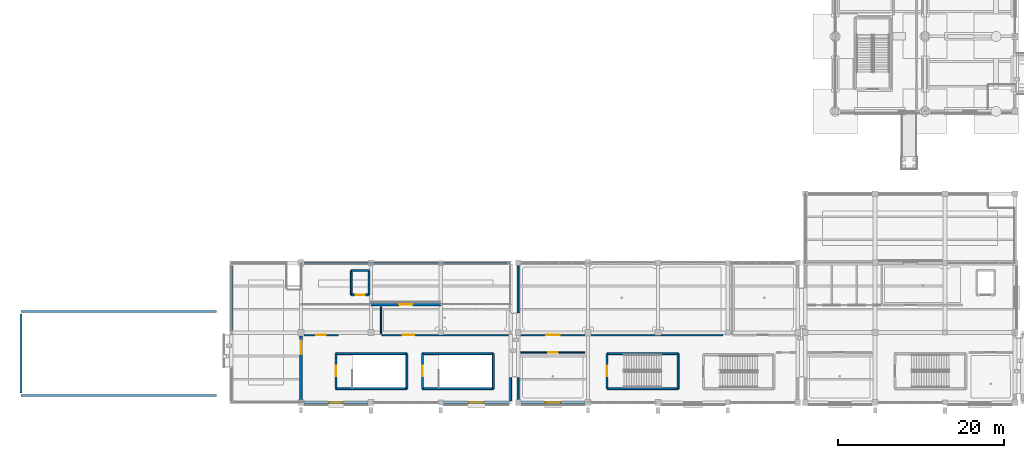
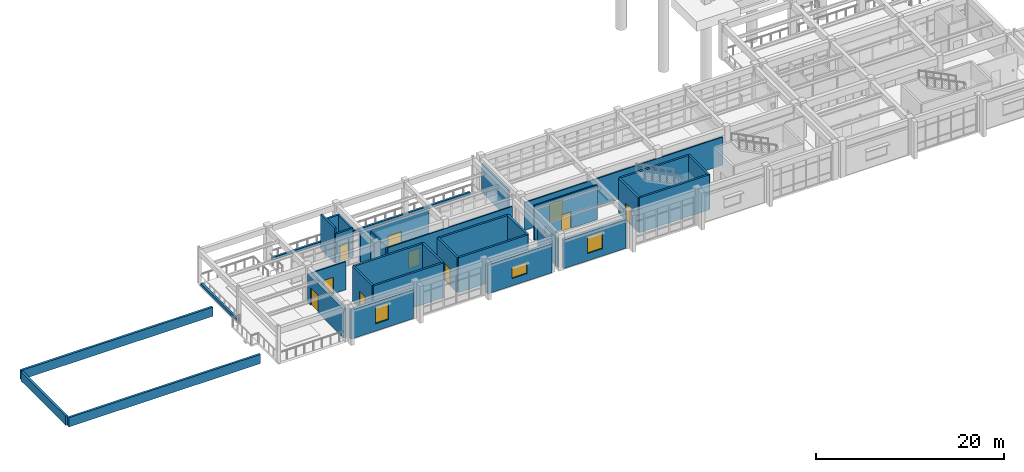
# One storey, part 75 of 98: 34 walls, 10 doors, 3 windows, 13 openings.
"""IFC4 building model written with IfcOpenShell, lengths in metres."""

from ifc_helpers import new_model, si_unit, direction, frame, frame_2d, origin, place, context, subcontext, project, spatial, rectangle, extrude, material, layer, layer_set, type_object, element, fill, save


model = new_model("IFC4")

# Units and contexts
model_context = context("Model", 3, precision=1e-05, world=origin(), true_north=direction((0.0, 1.0)))
body_context = subcontext(model_context, "Body", "Model", "MODEL_VIEW")
ifc_project = project(units=[si_unit("LENGTHUNIT", "METRE"), si_unit("AREAUNIT", "SQUARE_METRE"), si_unit("VOLUMEUNIT", "CUBIC_METRE"), si_unit("PLANEANGLEUNIT", "RADIAN"), si_unit("MASSUNIT", "GRAM", prefix="KILO")], contexts=[model_context])

# Site, building, storey
site_placement = place(None, origin())
site = spatial("IfcSite", under=ifc_project, at=site_placement, CompositionType="ELEMENT")
building_placement = place(site_placement, origin())
building = spatial("IfcBuilding", under=site, at=building_placement, Name="Canglan Escarpment Cableway Terminal", CompositionType="ELEMENT")
storey_placement = place(building_placement, frame((0.0, 0.0, 9.60009765625)))
storey = spatial("IfcBuildingStorey", under=building, at=storey_placement, Name="L02", CompositionType="ELEMENT", Elevation=9.60009765625)

# Walls
ifc_material_1 = material(Name="Concrete C40", Category="concrete")
ifc_layer_1 = layer(ifc_material_1, 0.239990234375, Name="Concrete C40")
ifc_layer_set_1 = layer_set([ifc_layer_1], Name="Concrete C40")
wall_type_1 = type_object("IfcWallType", Name="WL-CORE-SHEAR-240", PredefinedType="SHEAR", material=ifc_layer_set_1)
wall_1_placement = place(storey_placement, frame((55.080078125, 9.679931640625, 0.0), z_axis=(0.0, 0.0, 1.0), x_axis=(1.0, 0.0, 0.0)))
element("IfcWall", 1, at=wall_1_placement, inside=storey, type_object=wall_type_1, Name="Protected stair core wall ST-04 (L02)", PredefinedType="SHEAR", context=body_context, shape_type="SweptSolid", body=[
    extrude(rectangle(XDim=8.5400390625, YDim=0.239990234375, at=frame_2d((4.27001953125, 0.0))), origin(), (0.0, 0.0, 1.0), 4.52001953125),
])
wall_2_placement = place(storey_placement, frame((63.6201171875, 9.679931640625, 0.0), z_axis=(0.0, 0.0, 1.0), x_axis=(0.0, 1.0, 0.0)))
element("IfcWall", 2, at=wall_2_placement, inside=storey, type_object=wall_type_1, Name="Protected stair core wall ST-04 (L02)", PredefinedType="SHEAR", context=body_context, shape_type="SweptSolid", body=[
    extrude(rectangle(XDim=4.190185546875, YDim=0.239990234375, at=frame_2d((2.09521484375, 0.0))), origin(), (0.0, 0.0, 1.0), 4.52001953125),
])
wall_3_placement = place(storey_placement, frame((63.6201171875, 13.8701171875, 0.0), z_axis=(0.0, 0.0, 1.0), x_axis=(-1.0, 0.0, 0.0)))
element("IfcWall", 3, at=wall_3_placement, inside=storey, type_object=wall_type_1, Name="Protected stair core wall ST-04 (L02)", PredefinedType="SHEAR", context=body_context, shape_type="SweptSolid", body=[
    extrude(rectangle(XDim=8.5400390625, YDim=0.239990234375, at=frame_2d((4.27001953125, 0.0))), origin(), (0.0, 0.0, 1.0), 4.52001953125),
])

# Wall, opening, door
wall_4_placement = place(storey_placement, frame((55.080078125, 13.8701171875, 0.0), z_axis=(0.0, 0.0, 1.0), x_axis=(0.0, -1.0, 0.0)))
wall_4 = element("IfcWall", 4, at=wall_4_placement, inside=storey, type_object=wall_type_1, Name="Protected stair core wall ST-04 (L02)", PredefinedType="SHEAR", context=body_context, shape_type="SweptSolid", body=[
    extrude(rectangle(XDim=4.190185546875, YDim=0.239990234375, at=frame_2d((2.09521484375, 0.0))), origin(), (0.0, 0.0, 1.0), 4.52001953125),
])
opening_1_placement = place(wall_4_placement, frame((1.469970703125, 0.0, 0.0)))
opening_1 = element("IfcOpeningElement", 5, at=opening_1_placement, cuts=wall_4, Name="Opening SD-D1", PredefinedType="OPENING", context=body_context, shape_type="SweptSolid", body=[
    extrude(rectangle(XDim=1.25, YDim=2.199951171875, at=frame_2d((0.625, 1.10009765625))), frame((0.0, 0.1298828125, 0.0), z_axis=(0.0, -1.0, 0.0), x_axis=(1.0, 0.0, 0.0)), (0.0, 0.0, 1.0), 0.260009765625),
])
ifc_material_2 = material(Name="Steel fire-resisting stair door", Category="steel")
door_type_1 = type_object("IfcDoorType", Name="DR-STAIR-EI90-1250", OperationType="NOTDEFINED", PredefinedType="DOOR", material=ifc_material_2)
door_1_placement = place(opening_1_placement, origin())
door_1 = element("IfcDoor", 6, at=door_1_placement, inside=storey, type_object=door_type_1, Name="Protected exit stair fire door ST-04 (L02)", OperationType="SINGLE_SWING_RIGHT", OverallHeight=2.199951171875, OverallWidth=1.25, PredefinedType="DOOR", context=body_context, shape_type="SweptSolid", body=[
    extrude(rectangle(XDim=1.25, YDim=2.199951171875, at=frame_2d((0.625, 1.10009765625))), frame((0.0, 0.02490234375, 0.0), z_axis=(0.0, -1.0, 0.0), x_axis=(1.0, 0.0, 0.0)), (0.0, 0.0, 1.0), 0.050048828125),
])
fill(opening_1, door_1)

# Walls
wall_5_placement = place(storey_placement, frame((65.47998046875, 9.679931640625, 0.0), z_axis=(0.0, 0.0, 1.0), x_axis=(1.0, 0.0, 0.0)))
element("IfcWall", 7, at=wall_5_placement, inside=storey, type_object=wall_type_1, Name="Protected stair core wall ST-05 (L02)", PredefinedType="SHEAR", context=body_context, shape_type="SweptSolid", body=[
    extrude(rectangle(XDim=8.5400390625, YDim=0.239990234375, at=frame_2d((4.27001953125, 0.0))), origin(), (0.0, 0.0, 1.0), 4.52001953125),
])
wall_6_placement = place(storey_placement, frame((74.02001953125, 9.679931640625, 0.0), z_axis=(0.0, 0.0, 1.0), x_axis=(0.0, 1.0, 0.0)))
element("IfcWall", 8, at=wall_6_placement, inside=storey, type_object=wall_type_1, Name="Protected stair core wall ST-05 (L02)", PredefinedType="SHEAR", context=body_context, shape_type="SweptSolid", body=[
    extrude(rectangle(XDim=4.190185546875, YDim=0.239990234375, at=frame_2d((2.09521484375, 0.0))), origin(), (0.0, 0.0, 1.0), 4.52001953125),
])
wall_7_placement = place(storey_placement, frame((74.02001953125, 13.8701171875, 0.0), z_axis=(0.0, 0.0, 1.0), x_axis=(-1.0, 0.0, 0.0)))
element("IfcWall", 9, at=wall_7_placement, inside=storey, type_object=wall_type_1, Name="Protected stair core wall ST-05 (L02)", PredefinedType="SHEAR", context=body_context, shape_type="SweptSolid", body=[
    extrude(rectangle(XDim=8.5400390625, YDim=0.239990234375, at=frame_2d((4.27001953125, 0.0))), origin(), (0.0, 0.0, 1.0), 4.52001953125),
])

# Wall, opening, door
wall_8_placement = place(storey_placement, frame((65.47998046875, 13.8701171875, 0.0), z_axis=(0.0, 0.0, 1.0), x_axis=(0.0, -1.0, 0.0)))
wall_8 = element("IfcWall", 10, at=wall_8_placement, inside=storey, type_object=wall_type_1, Name="Protected stair core wall ST-05 (L02)", PredefinedType="SHEAR", context=body_context, shape_type="SweptSolid", body=[
    extrude(rectangle(XDim=4.190185546875, YDim=0.239990234375, at=frame_2d((2.09521484375, 0.0))), origin(), (0.0, 0.0, 1.0), 4.52001953125),
])
opening_2_placement = place(wall_8_placement, frame((1.469970703125, 0.0, 0.0)))
opening_2 = element("IfcOpeningElement", 11, at=opening_2_placement, cuts=wall_8, Name="Opening SD-D1", PredefinedType="OPENING", context=body_context, shape_type="SweptSolid", body=[
    extrude(rectangle(XDim=1.25, YDim=2.199951171875, at=frame_2d((0.625, 1.10009765625))), frame((0.0, 0.1298828125, 0.0), z_axis=(0.0, -1.0, 0.0), x_axis=(1.0, 0.0, 0.0)), (0.0, 0.0, 1.0), 0.260009765625),
])
door_2_placement = place(opening_2_placement, origin())
door_2 = element("IfcDoor", 12, at=door_2_placement, inside=storey, type_object=door_type_1, Name="Protected exit stair fire door ST-05 (L02)", OperationType="SINGLE_SWING_LEFT", OverallHeight=2.199951171875, OverallWidth=1.25, PredefinedType="DOOR", context=body_context, shape_type="SweptSolid", body=[
    extrude(rectangle(XDim=1.25, YDim=2.199951171875, at=frame_2d((0.625, 1.10009765625))), frame((0.0, 0.02490234375, 0.0), z_axis=(0.0, -1.0, 0.0), x_axis=(1.0, 0.0, 0.0)), (0.0, 0.0, 1.0), 0.050048828125),
])
fill(opening_2, door_2)

# Walls
wall_9_placement = place(storey_placement, frame((87.679931640625, 9.679931640625, 0.0), z_axis=(0.0, 0.0, 1.0), x_axis=(1.0, 0.0, 0.0)))
element("IfcWall", 13, at=wall_9_placement, inside=storey, type_object=wall_type_1, Name="Protected stair core wall ST-06 (L02)", PredefinedType="SHEAR", context=body_context, shape_type="SweptSolid", body=[
    extrude(rectangle(XDim=8.5400390625, YDim=0.239990234375, at=frame_2d((4.27001953125, 0.0))), origin(), (0.0, 0.0, 1.0), 4.52001953125),
])
wall_10_placement = place(storey_placement, frame((96.219970703125, 9.679931640625, 0.0), z_axis=(0.0, 0.0, 1.0), x_axis=(0.0, 1.0, 0.0)))
element("IfcWall", 14, at=wall_10_placement, inside=storey, type_object=wall_type_1, Name="Protected stair core wall ST-06 (L02)", PredefinedType="SHEAR", context=body_context, shape_type="SweptSolid", body=[
    extrude(rectangle(XDim=4.190185546875, YDim=0.239990234375, at=frame_2d((2.09521484375, 0.0))), origin(), (0.0, 0.0, 1.0), 4.52001953125),
])
wall_11_placement = place(storey_placement, frame((96.219970703125, 13.8701171875, 0.0), z_axis=(0.0, 0.0, 1.0), x_axis=(-1.0, 0.0, 0.0)))
element("IfcWall", 15, at=wall_11_placement, inside=storey, type_object=wall_type_1, Name="Protected stair core wall ST-06 (L02)", PredefinedType="SHEAR", context=body_context, shape_type="SweptSolid", body=[
    extrude(rectangle(XDim=8.5400390625, YDim=0.239990234375, at=frame_2d((4.27001953125, 0.0))), origin(), (0.0, 0.0, 1.0), 4.52001953125),
])

# Wall, opening, door
wall_12_placement = place(storey_placement, frame((87.679931640625, 13.8701171875, 0.0), z_axis=(0.0, 0.0, 1.0), x_axis=(0.0, -1.0, 0.0)))
wall_12 = element("IfcWall", 16, at=wall_12_placement, inside=storey, type_object=wall_type_1, Name="Protected stair core wall ST-06 (L02)", PredefinedType="SHEAR", context=body_context, shape_type="SweptSolid", body=[
    extrude(rectangle(XDim=4.190185546875, YDim=0.239990234375, at=frame_2d((2.09521484375, 0.0))), origin(), (0.0, 0.0, 1.0), 4.52001953125),
])
opening_3_placement = place(wall_12_placement, frame((1.469970703125, 0.0, 0.0)))
opening_3 = element("IfcOpeningElement", 17, at=opening_3_placement, cuts=wall_12, Name="Opening SD-D1", PredefinedType="OPENING", context=body_context, shape_type="SweptSolid", body=[
    extrude(rectangle(XDim=1.25, YDim=2.199951171875, at=frame_2d((0.625, 1.10009765625))), frame((0.0, 0.1298828125, 0.0), z_axis=(0.0, -1.0, 0.0), x_axis=(1.0, 0.0, 0.0)), (0.0, 0.0, 1.0), 0.260009765625),
])
door_3_placement = place(opening_3_placement, origin())
door_3 = element("IfcDoor", 18, at=door_3_placement, inside=storey, type_object=door_type_1, Name="Protected exit stair fire door ST-06 (L02)", OperationType="SINGLE_SWING_LEFT", OverallHeight=2.199951171875, OverallWidth=1.25, PredefinedType="DOOR", context=body_context, shape_type="SweptSolid", body=[
    extrude(rectangle(XDim=1.25, YDim=2.199951171875, at=frame_2d((0.625, 1.10009765625))), frame((0.0, 0.02490234375, 0.0), z_axis=(0.0, -1.0, 0.0), x_axis=(1.0, 0.0, 0.0)), (0.0, 0.0, 1.0), 0.050048828125),
])
fill(opening_3, door_3)

# Walls
ifc_material_3 = material(Name="Insulated stone-faced spandrel wall", Category="masonry")
ifc_layer_2 = layer(ifc_material_3, 0.22998046875, Name="Insulated stone-faced spandrel wall")
ifc_layer_set_2 = layer_set([ifc_layer_2], Name="Insulated stone-faced spandrel wall")
wall_type_2 = type_object("IfcWallType", Name="WL-EXT-LINK-230", PredefinedType="STANDARD", material=ifc_layer_set_2)
wall_13_placement = place(storey_placement, frame((76.10009765625, 8.175048828125, 0.0), z_axis=(0.0, 0.0, 1.0), x_axis=(0.0, 1.0, 0.0)))
element("IfcWall", 19, at=wall_13_placement, inside=storey, type_object=wall_type_2, Name="Classical stone-faced exterior wall EW-FB2-L02-E-01-FL1", PredefinedType="STANDARD", context=body_context, shape_type="SweptSolid", body=[
    extrude(rectangle(XDim=2.824951171875, YDim=0.22998046875, at=frame_2d((1.41259765625, 0.0))), origin(), (0.0, 0.0, 1.0), 3.744873046875),
])
wall_14_placement = place(storey_placement, frame((77.0, 8.35009765625, 0.0), z_axis=(0.0, 0.0, 1.0), x_axis=(0.0, 1.0, 0.0)))
element("IfcWall", 20, at=wall_14_placement, inside=storey, type_object=wall_type_2, Name="Classical stone-faced exterior wall EW-FB3-L02-W-01-FL1", PredefinedType="STANDARD", context=body_context, shape_type="SweptSolid", body=[
    extrude(rectangle(XDim=2.64990234375, YDim=0.22998046875, at=frame_2d((1.324951171875, 0.0))), origin(), (0.0, 0.0, 1.0), 3.71484375),
])
wall_15_placement = place(storey_placement, frame((77.0, 18.800048828125, 0.0), z_axis=(0.0, 0.0, 1.0), x_axis=(0.0, 1.0, 0.0)))
element("IfcWall", 21, at=wall_15_placement, inside=storey, type_object=wall_type_2, Name="Classical stone-faced exterior wall EW-FB3-L02-W-02-FL2", PredefinedType="STANDARD", context=body_context, shape_type="SweptSolid", body=[
    extrude(rectangle(XDim=5.64990234375, YDim=0.22998046875, at=frame_2d((2.824951171875, 0.0))), origin(), (0.0, 0.0, 1.0), 3.71484375),
])

# Wall, opening, window
ifc_material_4 = material(Name="Rusticated limestone masonry on Concrete C40", Category="masonry")
ifc_layer_3 = layer(ifc_material_4, 0.360107421875, Name="Rusticated limestone masonry on Concrete C40")
ifc_layer_set_3 = layer_set([ifc_layer_3], Name="Rusticated limestone masonry on Concrete C40")
wall_type_3 = type_object("IfcWallType", Name="WL-EXT-RUST-360", PredefinedType="STANDARD", material=ifc_layer_set_3)
wall_16_placement = place(storey_placement, frame((51.27490234375, 8.0, 0.0), z_axis=(0.0, 0.0, 1.0), x_axis=(1.0, 0.0, 0.0)))
wall_16 = element("IfcWall", 22, at=wall_16_placement, inside=storey, type_object=wall_type_3, Name="Classical stone-faced exterior wall EW-FB2-L02-S-01", PredefinedType="STANDARD", context=body_context, shape_type="SweptSolid", body=[
    extrude(rectangle(XDim=7.675048828125, YDim=0.360107421875, at=frame_2d((3.83740234375, 0.0))), origin(), (0.0, 0.0, 1.0), 3.744873046875),
])
opening_4_placement = place(wall_16_placement, frame((3.03759765625, 0.0, 0.949951171875)))
opening_4 = element("IfcOpeningElement", 23, at=opening_4_placement, cuts=wall_16, Name="Opening W-12", PredefinedType="OPENING", context=body_context, shape_type="SweptSolid", body=[
    extrude(rectangle(XDim=1.60009765625, YDim=2.14990234375, at=frame_2d((0.800048828125, 1.074951171875))), frame((0.0, 0.18994140625, 0.0), z_axis=(0.0, -1.0, 0.0), x_axis=(1.0, 0.0, 0.0)), (0.0, 0.0, 1.0), 0.380126953125),
])
ifc_material_5 = material(Name="Anodized bronze aluminium and Low-E double glazing", Category="aluminium")
window_type_1 = type_object("IfcWindowType", Name="WIN-EXT-12", PartitioningType="SINGLE_PANEL", PredefinedType="WINDOW", material=ifc_material_5)
window_1_placement = place(opening_4_placement, origin())
window_1 = element("IfcWindow", 24, at=window_1_placement, inside=storey, type_object=window_type_1, Name="Classical module window W-12", OverallHeight=2.14990234375, OverallWidth=1.60009765625, PartitioningType="SINGLE_PANEL", PredefinedType="WINDOW", context=body_context, shape_type="SweptSolid", body=[
    extrude(rectangle(XDim=1.60009765625, YDim=2.14990234375, at=frame_2d((0.800048828125, 1.074951171875))), frame((0.0, 0.030029296875, 0.0), z_axis=(0.0, -1.0, 0.0), x_axis=(1.0, 0.0, 0.0)), (0.0, 0.0, 1.0), 0.06005859375),
])
fill(opening_4, window_1)

wall_17_placement = place(storey_placement, frame((68.0, 8.0, 0.0), z_axis=(0.0, 0.0, 1.0), x_axis=(1.0, 0.0, 0.0)))
wall_17 = element("IfcWall", 25, at=wall_17_placement, inside=storey, type_object=wall_type_3, Name="Classical stone-faced exterior wall EW-FB2-L02-S-03", PredefinedType="STANDARD", context=body_context, shape_type="SweptSolid", body=[
    extrude(rectangle(XDim=7.925048828125, YDim=0.360107421875, at=frame_2d((3.96240234375, 0.0))), origin(), (0.0, 0.0, 1.0), 3.744873046875),
])
opening_5_placement = place(wall_17_placement, frame((3.03759765625, 0.0, 0.949951171875)))
opening_5 = element("IfcOpeningElement", 26, at=opening_5_placement, cuts=wall_17, Name="Opening W-13", PredefinedType="OPENING", context=body_context, shape_type="SweptSolid", body=[
    extrude(rectangle(XDim=1.85009765625, YDim=1.449951171875, at=frame_2d((0.925048828125, 0.72509765625))), frame((0.0, 0.18994140625, 0.0), z_axis=(0.0, -1.0, 0.0), x_axis=(1.0, 0.0, 0.0)), (0.0, 0.0, 1.0), 0.380126953125),
])
window_type_2 = type_object("IfcWindowType", Name="WIN-EXT-13", PartitioningType="DOUBLE_PANEL_VERTICAL", PredefinedType="WINDOW", material=ifc_material_5)
window_2_placement = place(opening_5_placement, origin())
window_2 = element("IfcWindow", 27, at=window_2_placement, inside=storey, type_object=window_type_2, Name="Classical module window W-13", OverallHeight=1.449951171875, OverallWidth=1.85009765625, PartitioningType="SINGLE_PANEL", PredefinedType="WINDOW", context=body_context, shape_type="SweptSolid", body=[
    extrude(rectangle(XDim=1.85009765625, YDim=1.449951171875, at=frame_2d((0.925048828125, 0.72509765625))), frame((0.0, 0.030029296875, 0.0), z_axis=(0.0, -1.0, 0.0), x_axis=(1.0, 0.0, 0.0)), (0.0, 0.0, 1.0), 0.06005859375),
])
fill(opening_5, window_2)

# Wall, opening, door
wall_18_placement = place(storey_placement, frame((67.699951171875, 19.800048828125, 0.0), z_axis=(0.0, 0.0, 1.0), x_axis=(-1.0, 0.0, 0.0)))
wall_18 = element("IfcWall", 28, at=wall_18_placement, inside=storey, type_object=wall_type_3, Name="Classical stone-faced exterior wall EW-FB2-L02-N-02", PredefinedType="STANDARD", context=body_context, shape_type="SweptSolid", body=[
    extrude(rectangle(XDim=8.39990234375, YDim=0.360107421875, at=frame_2d((4.199951171875, 0.0))), origin(), (0.0, 0.0, 1.0), 3.7548828125),
])
opening_6_placement = place(wall_18_placement, frame((3.375, 0.0, 0.0)))
opening_6 = element("IfcOpeningElement", 29, at=opening_6_placement, cuts=wall_18, Name="Opening ED-03", PredefinedType="OPENING", context=body_context, shape_type="SweptSolid", body=[
    extrude(rectangle(XDim=1.64990234375, YDim=2.25, at=frame_2d((0.824951171875, 1.125))), frame((0.0, 0.18994140625, 0.0), z_axis=(0.0, -1.0, 0.0), x_axis=(1.0, 0.0, 0.0)), (0.0, 0.0, 1.0), 0.380126953125),
])
ifc_material_6 = material(Name="Anodized bronze aluminium and tempered safety glass", Category="aluminium")
door_type_2 = type_object("IfcDoorType", Name="DR-EXT-TERR-1650", OperationType="NOTDEFINED", PredefinedType="DOOR", material=ifc_material_6)
door_4_placement = place(opening_6_placement, origin())
door_4 = element("IfcDoor", 30, at=door_4_placement, inside=storey, type_object=door_type_2, Name="Terrace access glazed door ED-03", OperationType="DOUBLE_DOOR_SINGLE_SWING", OverallHeight=2.25, OverallWidth=1.64990234375, PredefinedType="DOOR", context=body_context, shape_type="SweptSolid", body=[
    extrude(rectangle(XDim=1.64990234375, YDim=2.25, at=frame_2d((0.824951171875, 1.125))), frame((0.0, 0.02490234375, 0.0), z_axis=(0.0, -1.0, 0.0), x_axis=(1.0, 0.0, 0.0)), (0.0, 0.0, 1.0), 0.050048828125),
])
fill(opening_6, door_4)

wall_19_placement = place(storey_placement, frame((50.89990234375, 16.02490234375, 0.0), z_axis=(0.0, 0.0, 1.0), x_axis=(0.0, -1.0, 0.0)))
wall_19 = element("IfcWall", 31, at=wall_19_placement, inside=storey, type_object=wall_type_3, Name="Classical stone-faced exterior wall EW-FB2-L02-W-01", PredefinedType="STANDARD", context=body_context, shape_type="SweptSolid", body=[
    extrude(rectangle(XDim=7.64990234375, YDim=0.360107421875, at=frame_2d((3.824951171875, 0.0))), origin(), (0.0, 0.0, 1.0), 3.744873046875),
])
opening_7_placement = place(wall_19_placement, frame((0.60009765625, 0.0, 0.0)))
opening_7 = element("IfcOpeningElement", 32, at=opening_7_placement, cuts=wall_19, Name="Opening ED-03", PredefinedType="OPENING", context=body_context, shape_type="SweptSolid", body=[
    extrude(rectangle(XDim=1.64990234375, YDim=2.25, at=frame_2d((0.824951171875, 1.125))), frame((0.0, 0.18994140625, 0.0), z_axis=(0.0, -1.0, 0.0), x_axis=(1.0, 0.0, 0.0)), (0.0, 0.0, 1.0), 0.380126953125),
])
door_5_placement = place(opening_7_placement, origin())
door_5 = element("IfcDoor", 33, at=door_5_placement, inside=storey, type_object=door_type_2, Name="Terrace access glazed door ED-03", OperationType="DOUBLE_DOOR_SINGLE_SWING", OverallHeight=2.25, OverallWidth=1.64990234375, PredefinedType="DOOR", context=body_context, shape_type="SweptSolid", body=[
    extrude(rectangle(XDim=1.64990234375, YDim=2.25, at=frame_2d((0.824951171875, 1.125))), frame((0.0, 0.02490234375, 0.0), z_axis=(0.0, -1.0, 0.0), x_axis=(1.0, 0.0, 0.0)), (0.0, 0.0, 1.0), 0.050048828125),
])
fill(opening_7, door_5)

# Wall, opening, window
wall_20_placement = place(storey_placement, frame((77.35009765625, 8.0, 0.0), z_axis=(0.0, 0.0, 1.0), x_axis=(1.0, 0.0, 0.0)))
wall_20 = element("IfcWall", 34, at=wall_20_placement, inside=storey, type_object=wall_type_3, Name="Classical stone-faced exterior wall EW-FB3-L02-S-01", PredefinedType="STANDARD", context=body_context, shape_type="SweptSolid", body=[
    extrude(rectangle(XDim=7.6748046875, YDim=0.360107421875, at=frame_2d((3.83740234375, 0.0))), origin(), (0.0, 0.0, 1.0), 3.71484375),
])
opening_8_placement = place(wall_20_placement, frame((2.91259765625, 0.0, 0.949951171875)))
opening_8 = element("IfcOpeningElement", 35, at=opening_8_placement, cuts=wall_20, Name="Opening W-16", PredefinedType="OPENING", context=body_context, shape_type="SweptSolid", body=[
    extrude(rectangle(XDim=1.85009765625, YDim=2.14990234375, at=frame_2d((0.925048828125, 1.074951171875))), frame((0.0, 0.18994140625, 0.0), z_axis=(0.0, -1.0, 0.0), x_axis=(1.0, 0.0, 0.0)), (0.0, 0.0, 1.0), 0.380126953125),
])
window_type_3 = type_object("IfcWindowType", Name="WIN-EXT-16", PartitioningType="DOUBLE_PANEL_VERTICAL", PredefinedType="WINDOW", material=ifc_material_5)
window_3_placement = place(opening_8_placement, origin())
window_3 = element("IfcWindow", 36, at=window_3_placement, inside=storey, type_object=window_type_3, Name="Classical module window W-16", OverallHeight=2.14990234375, OverallWidth=1.85009765625, PartitioningType="SINGLE_PANEL", PredefinedType="WINDOW", context=body_context, shape_type="SweptSolid", body=[
    extrude(rectangle(XDim=1.85009765625, YDim=2.14990234375, at=frame_2d((0.925048828125, 1.074951171875))), frame((0.0, 0.030029296875, 0.0), z_axis=(0.0, -1.0, 0.0), x_axis=(1.0, 0.0, 0.0)), (0.0, 0.0, 1.0), 0.06005859375),
])
fill(opening_8, window_3)

# Wall, opening, door
ifc_material_7 = material(Name="Acoustic double-stud gypsum partition", Category="gypsum")
ifc_layer_4 = layer(ifc_material_7, 0.14990234375, Name="Acoustic double-stud gypsum partition")
ifc_layer_set_4 = layer_set([ifc_layer_4], Name="Acoustic double-stud gypsum partition")
wall_type_4 = type_object("IfcWallType", Name="WL-INT-PART-150", PredefinedType="PARTITIONING", material=ifc_layer_set_4)
wall_21_placement = place(storey_placement, frame((51.199951171875, 16.10009765625, 0.0), z_axis=(0.0, 0.0, 1.0), x_axis=(1.0, 0.0, 0.0)))
wall_21 = element("IfcWall", 37, at=wall_21_placement, inside=storey, type_object=wall_type_4, Name="Interior partition wall IW-L02-04-MAIN", PredefinedType="PARTITIONING", context=body_context, shape_type="SweptSolid", body=[
    extrude(rectangle(XDim=4.199951171875, YDim=0.14990234375, at=frame_2d((2.10009765625, 0.0))), origin(), (0.0, 0.0, 1.0), 3.64501953125),
])
opening_9_placement = place(wall_21_placement, frame((1.52490234375, 0.0, 0.0)))
opening_9 = element("IfcOpeningElement", 38, at=opening_9_placement, cuts=wall_21, Name="Opening ID-07", PredefinedType="OPENING", context=body_context, shape_type="SweptSolid", body=[
    extrude(rectangle(XDim=1.14990234375, YDim=2.14990234375, at=frame_2d((0.574951171875, 1.074951171875))), frame((0.0, 0.0849609375, 0.0), z_axis=(0.0, -1.0, 0.0), x_axis=(1.0, 0.0, 0.0)), (0.0, 0.0, 1.0), 0.169921875),
])
ifc_material_8 = material(Name="Stained oak and safety glass door", Category="glass")
door_type_3 = type_object("IfcDoorType", Name="DR-INT-ID-07", OperationType="NOTDEFINED", PredefinedType="DOOR", material=ifc_material_8)
door_6_placement = place(opening_9_placement, origin())
door_6 = element("IfcDoor", 39, at=door_6_placement, inside=storey, type_object=door_type_3, Name="Garden Terrace Reading Lounge door ID-07", OperationType="SINGLE_SWING_LEFT", OverallHeight=2.14990234375, OverallWidth=1.14990234375, PredefinedType="DOOR", context=body_context, shape_type="SweptSolid", body=[
    extrude(rectangle(XDim=1.14990234375, YDim=2.14990234375, at=frame_2d((0.574951171875, 1.074951171875))), frame((0.0, 0.02490234375, 0.0), z_axis=(0.0, -1.0, 0.0), x_axis=(1.0, 0.0, 0.0)), (0.0, 0.0, 1.0), 0.050048828125),
])
fill(opening_9, door_6)

wall_22_placement = place(storey_placement, frame((60.60009765625, 16.10009765625, 0.0), z_axis=(0.0, 0.0, 1.0), x_axis=(1.0, 0.0, 0.0)))
wall_22 = element("IfcWall", 40, at=wall_22_placement, inside=storey, type_object=wall_type_4, Name="Interior partition wall IW-L02-05-MAIN", PredefinedType="PARTITIONING", context=body_context, shape_type="SweptSolid", body=[
    extrude(rectangle(XDim=15.199951171875, YDim=0.14990234375, at=frame_2d((7.60009765625, 0.0))), origin(), (0.0, 0.0, 1.0), 3.64501953125),
])
opening_10_placement = place(wall_22_placement, frame((2.5, 0.0, 0.0)))
opening_10 = element("IfcOpeningElement", 41, at=opening_10_placement, cuts=wall_22, Name="Opening ID-16", PredefinedType="OPENING", context=body_context, shape_type="SweptSolid", body=[
    extrude(rectangle(XDim=1.39990234375, YDim=2.199951171875, at=frame_2d((0.699951171875, 1.10009765625))), frame((0.0, 0.0849609375, 0.0), z_axis=(0.0, -1.0, 0.0), x_axis=(1.0, 0.0, 0.0)), (0.0, 0.0, 1.0), 0.169921875),
])
door_type_4 = type_object("IfcDoorType", Name="DR-INT-ID-16", OperationType="NOTDEFINED", PredefinedType="DOOR", material=ifc_material_8)
door_7_placement = place(opening_10_placement, origin())
door_7 = element("IfcDoor", 42, at=door_7_placement, inside=storey, type_object=door_type_4, Name="Passenger Waiting Lounge door ID-16", OperationType="SINGLE_SWING_RIGHT", OverallHeight=2.199951171875, OverallWidth=1.39990234375, PredefinedType="DOOR", context=body_context, shape_type="SweptSolid", body=[
    extrude(rectangle(XDim=1.39990234375, YDim=2.199951171875, at=frame_2d((0.699951171875, 1.10009765625))), frame((0.0, 0.02490234375, 0.0), z_axis=(0.0, -1.0, 0.0), x_axis=(1.0, 0.0, 0.0)), (0.0, 0.0, 1.0), 0.050048828125),
])
fill(opening_10, door_7)

# Wall
wall_23_placement = place(storey_placement, frame((60.5, 16.25, 0.0), z_axis=(0.0, 0.0, 1.0), x_axis=(0.0, 1.0, 0.0)))
element("IfcWall", 43, at=wall_23_placement, inside=storey, type_object=wall_type_4, Name="Interior partition wall IW-L02-05-SIDE", PredefinedType="PARTITIONING", context=body_context, shape_type="SweptSolid", body=[
    extrude(rectangle(XDim=3.25, YDim=0.14990234375, at=frame_2d((1.625, 0.0))), origin(), (0.0, 0.0, 1.0), 3.64501953125),
])

# Wall, opening, door
wall_24_placement = place(storey_placement, frame((77.300048828125, 16.10009765625, 0.0), z_axis=(0.0, 0.0, 1.0), x_axis=(1.0, 0.0, 0.0)))
wall_24 = element("IfcWall", 44, at=wall_24_placement, inside=storey, type_object=wall_type_4, Name="Interior partition wall IW-L02-06-MAIN", PredefinedType="PARTITIONING", context=body_context, shape_type="SweptSolid", body=[
    extrude(rectangle(XDim=24.300048828125, YDim=0.14990234375, at=frame_2d((12.14990234375, 0.0))), origin(), (0.0, 0.0, 1.0), 3.614990234375),
])
opening_11_placement = place(wall_24_placement, frame((3.074951171875, 0.0, 0.0)))
opening_11 = element("IfcOpeningElement", 45, at=opening_11_placement, cuts=wall_24, Name="Opening ID-26", PredefinedType="OPENING", context=body_context, shape_type="SweptSolid", body=[
    extrude(rectangle(XDim=1.64990234375, YDim=2.300048828125, at=frame_2d((0.824951171875, 1.14990234375))), frame((0.0, 0.0849609375, 0.0), z_axis=(0.0, -1.0, 0.0), x_axis=(1.0, 0.0, 0.0)), (0.0, 0.0, 1.0), 0.169921875),
])
door_type_5 = type_object("IfcDoorType", Name="DR-INT-ID-26", OperationType="NOTDEFINED", PredefinedType="DOOR", material=ifc_material_8)
door_8_placement = place(opening_11_placement, origin())
door_8 = element("IfcDoor", 46, at=door_8_placement, inside=storey, type_object=door_type_5, Name="Mountain Ecology Lecture Hall door ID-26", OperationType="DOUBLE_DOOR_SINGLE_SWING", OverallHeight=2.300048828125, OverallWidth=1.64990234375, PredefinedType="DOOR", context=body_context, shape_type="SweptSolid", body=[
    extrude(rectangle(XDim=1.64990234375, YDim=2.300048828125, at=frame_2d((0.824951171875, 1.14990234375))), frame((0.0, 0.02490234375, 0.0), z_axis=(0.0, -1.0, 0.0), x_axis=(1.0, 0.0, 0.0)), (0.0, 0.0, 1.0), 0.050048828125),
])
fill(opening_11, door_8)

wall_25_placement = place(storey_placement, frame((77.300048828125, 14.0, 0.0), z_axis=(0.0, 0.0, 1.0), x_axis=(1.0, 0.0, 0.0)))
wall_25 = element("IfcWall", 47, at=wall_25_placement, inside=storey, type_object=wall_type_4, Name="Interior partition wall IW-L02-08-MAIN", PredefinedType="PARTITIONING", context=body_context, shape_type="SweptSolid", body=[
    extrude(rectangle(XDim=7.699951171875, YDim=0.14990234375, at=frame_2d((3.85009765625, 0.0))), origin(), (0.0, 0.0, 1.0), 4.5048828125),
])
opening_12_placement = place(wall_25_placement, frame((3.324951171875, 0.0, 0.0)))
opening_12 = element("IfcOpeningElement", 48, at=opening_12_placement, cuts=wall_25, Name="Opening ID-07", PredefinedType="OPENING", context=body_context, shape_type="SweptSolid", body=[
    extrude(rectangle(XDim=1.14990234375, YDim=2.14990234375, at=frame_2d((0.574951171875, 1.074951171875))), frame((0.0, 0.0849609375, 0.0), z_axis=(0.0, -1.0, 0.0), x_axis=(1.0, 0.0, 0.0)), (0.0, 0.0, 1.0), 0.169921875),
])
door_9_placement = place(opening_12_placement, origin())
door_9 = element("IfcDoor", 49, at=door_9_placement, inside=storey, type_object=door_type_3, Name="Botanical Herbarium Alcove door ID-07", OperationType="SINGLE_SWING_RIGHT", OverallHeight=2.14990234375, OverallWidth=1.14990234375, PredefinedType="DOOR", context=body_context, shape_type="SweptSolid", body=[
    extrude(rectangle(XDim=1.14990234375, YDim=2.14990234375, at=frame_2d((0.574951171875, 1.074951171875))), frame((0.0, 0.02490234375, 0.0), z_axis=(0.0, -1.0, 0.0), x_axis=(1.0, 0.0, 0.0)), (0.0, 0.0, 1.0), 0.050048828125),
])
fill(opening_12, door_9)

# Walls
ifc_material_9 = material(Name="Dressed limestone coping wall", Category="masonry")
ifc_layer_5 = layer(ifc_material_9, 0.260009765625, Name="Dressed limestone coping wall")
ifc_layer_set_5 = layer_set([ifc_layer_5], Name="Dressed limestone coping wall")
wall_type_5 = type_object("IfcWallType", Name="WL-PAR-STONE-260", PredefinedType="PARAPET", material=ifc_layer_set_5)
for number, where, z_axis, x_axis, name in (
    (50, (17.25, 8.85009765625, 0.0), (0.0, 0.0, 1.0), (1.0, 0.0, 0.0), "Classical stone roof parapet PW-01"),
    (51, (17.25, 18.949951171875, 0.0), (0.0, 0.0, 1.0), (1.0, 0.0, 0.0), "Classical stone roof parapet PW-01"),
):
    element("IfcWall", number, at=place(storey_placement, frame(where, z_axis=z_axis, x_axis=x_axis)), inside=storey, type_object=wall_type_5, Name=name, PredefinedType="PARAPET", context=body_context, shape_type="SweptSolid", body=[
        extrude(rectangle(XDim=23.5, YDim=0.260009765625, at=frame_2d((11.75, 0.0))), origin(), (0.0, 0.0, 1.0), 1.199951171875),
    ])
wall_26_placement = place(storey_placement, frame((17.25, 9.14990234375, 0.0), z_axis=(0.0, 0.0, 1.0), x_axis=(0.0, 1.0, 0.0)))
element("IfcWall", 52, at=wall_26_placement, inside=storey, type_object=wall_type_5, Name="Classical stone roof parapet PW-01", PredefinedType="PARAPET", context=body_context, shape_type="SweptSolid", body=[
    extrude(rectangle(XDim=9.5, YDim=0.260009765625, at=frame_2d((4.75, 0.0))), origin(), (0.0, 0.0, 1.0), 1.199951171875),
])
ifc_material_10 = material(Name="Rusticated granite parapet wall", Category="masonry")
ifc_layer_6 = layer(ifc_material_10, 0.300048828125, Name="Rusticated granite parapet wall")
ifc_layer_set_6 = layer_set([ifc_layer_6], Name="Rusticated granite parapet wall")
wall_type_6 = type_object("IfcWallType", Name="WL-PAR-STONE-300", PredefinedType="PARAPET", material=ifc_layer_set_6)
wall_27_placement = place(storey_placement, frame((42.550048828125, 16.72998046875, 0.0), z_axis=(0.0, 0.0, 1.0), x_axis=(0.0, 1.0, 0.0)))
element("IfcWall", 53, at=wall_27_placement, inside=storey, type_object=wall_type_6, Name="Classical stone terrace plinth parapet PW-02", PredefinedType="PARAPET", context=body_context, shape_type="SweptSolid", body=[
    extrude(rectangle(XDim=7.617919921875, YDim=0.239990234375, at=frame_2d((3.80908203125, 0.0))), origin(), (0.0, 0.0, 1.0), 0.33984375),
])
wall_28_placement = place(storey_placement, frame((51.35009765625, 24.748046875, 0.0), z_axis=(0.0, 0.0, 1.0), x_axis=(0.999999996769, 8.0382621e-05, 0.0)))
element("IfcWall", 54, at=wall_28_placement, inside=storey, type_object=wall_type_6, Name="Classical stone terrace plinth parapet PW-02", PredefinedType="PARAPET", context=body_context, shape_type="SweptSolid", body=[
    extrude(rectangle(XDim=24.2978515625, YDim=0.239990234375, at=frame_2d((12.14892578125, 0.0))), origin(), (0.0, 0.0, 1.0), 0.33984375),
])

# Wall, opening, door
ifc_layer_7 = layer(ifc_material_1, 0.219970703125, Name="Concrete C40")
ifc_layer_set_7 = layer_set([ifc_layer_7], Name="Concrete C40")
wall_type_7 = type_object("IfcWallType", Name="WL-SHAFT-SHEAR-220", PredefinedType="SHEAR", material=ifc_layer_set_7)
wall_29_placement = place(storey_placement, frame((56.93994140625, 20.93994140625, 0.0), z_axis=(0.0, 0.0, 1.0), x_axis=(1.0, 0.0, 0.0)))
wall_29 = element("IfcWall", 55, at=wall_29_placement, inside=storey, type_object=wall_type_7, Name="Elevator core shaft wall LF-05 (L02)", PredefinedType="SHEAR", context=body_context, shape_type="SweptSolid", body=[
    extrude(rectangle(XDim=2.1201171875, YDim=0.219970703125, at=frame_2d((1.06005859375, 0.0))), origin(), (0.0, 0.0, 1.0), 3.7548828125),
])
opening_13_placement = place(wall_29_placement, frame((0.510009765625, 0.0, 0.0)))
opening_13 = element("IfcOpeningElement", 56, at=opening_13_placement, cuts=wall_29, Name="Opening LD-01", PredefinedType="OPENING", context=body_context, shape_type="SweptSolid", body=[
    extrude(rectangle(XDim=1.10009765625, YDim=2.14990234375, at=frame_2d((0.550048828125, 1.074951171875))), frame((0.0, 0.1201171875, 0.0), z_axis=(0.0, -1.0, 0.0), x_axis=(1.0, 0.0, 0.0)), (0.0, 0.0, 1.0), 0.239990234375),
])
ifc_material_11 = material(Name="Brushed stainless steel lift landing door", Category="steel")
door_type_6 = type_object("IfcDoorType", Name="DR-LIFT-SLIDE-1100", OperationType="DOUBLE_DOOR_SLIDING", PredefinedType="DOOR", material=ifc_material_11)
door_10_placement = place(opening_13_placement, origin())
door_10 = element("IfcDoor", 57, at=door_10_placement, inside=storey, type_object=door_type_6, Name="Elevator sliding landing door LF-05 (L02)", OperationType="DOUBLE_DOOR_SLIDING", OverallHeight=2.14990234375, OverallWidth=1.10009765625, PredefinedType="DOOR", context=body_context, shape_type="SweptSolid", body=[
    extrude(rectangle(XDim=1.10009765625, YDim=2.14990234375, at=frame_2d((0.550048828125, 1.074951171875))), frame((0.0, 0.02490234375, 0.0), z_axis=(0.0, -1.0, 0.0), x_axis=(1.0, 0.0, 0.0)), (0.0, 0.0, 1.0), 0.050048828125),
])
fill(opening_13, door_10)

# Walls
wall_30_placement = place(storey_placement, frame((59.06005859375, 20.93994140625, 0.0), z_axis=(0.0, 0.0, 1.0), x_axis=(0.0, 1.0, 0.0)))
element("IfcWall", 58, at=wall_30_placement, inside=storey, type_object=wall_type_7, Name="Elevator core shaft wall LF-05 (L02)", PredefinedType="SHEAR", context=body_context, shape_type="SweptSolid", body=[
    extrude(rectangle(XDim=2.920166015625, YDim=0.219970703125, at=frame_2d((1.4599609375, 0.0))), origin(), (0.0, 0.0, 1.0), 3.7548828125),
])
wall_31_placement = place(storey_placement, frame((59.06005859375, 23.860107421875, 0.0), z_axis=(0.0, 0.0, 1.0), x_axis=(-1.0, 0.0, 0.0)))
element("IfcWall", 59, at=wall_31_placement, inside=storey, type_object=wall_type_7, Name="Elevator core shaft wall LF-05 (L02)", PredefinedType="SHEAR", context=body_context, shape_type="SweptSolid", body=[
    extrude(rectangle(XDim=2.1201171875, YDim=0.219970703125, at=frame_2d((1.06005859375, 0.0))), origin(), (0.0, 0.0, 1.0), 3.7548828125),
])
wall_32_placement = place(storey_placement, frame((56.93994140625, 23.860107421875, 0.0), z_axis=(0.0, 0.0, 1.0), x_axis=(0.0, -1.0, 0.0)))
element("IfcWall", 60, at=wall_32_placement, inside=storey, type_object=wall_type_7, Name="Elevator core shaft wall LF-05 (L02)", PredefinedType="SHEAR", context=body_context, shape_type="SweptSolid", body=[
    extrude(rectangle(XDim=2.920166015625, YDim=0.219970703125, at=frame_2d((1.4599609375, 0.0))), origin(), (0.0, 0.0, 1.0), 4.52001953125),
])

save(model, "model.ifc")
